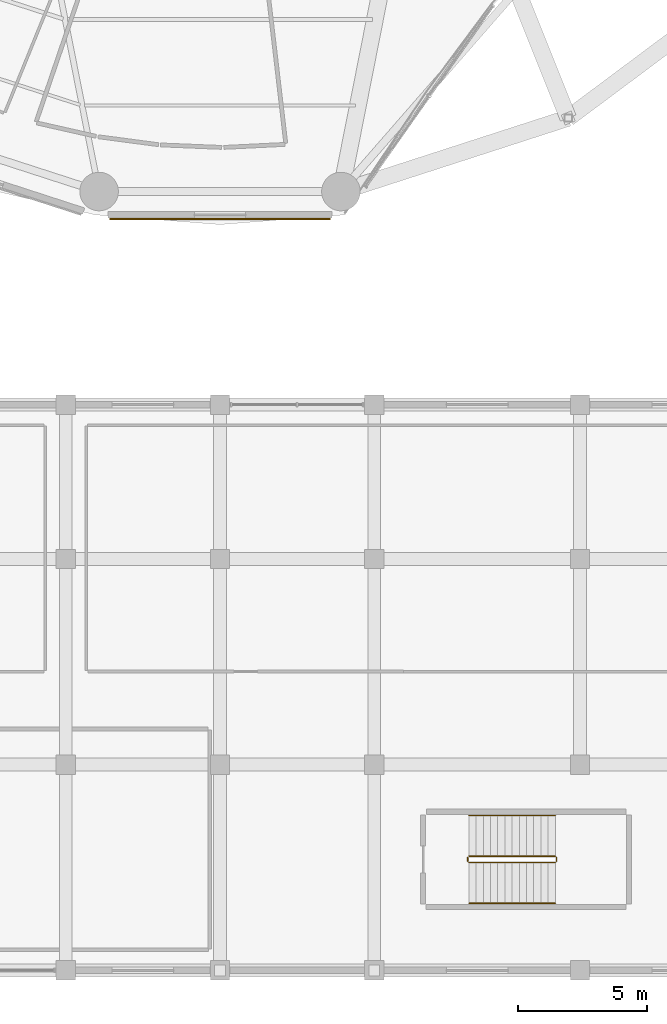
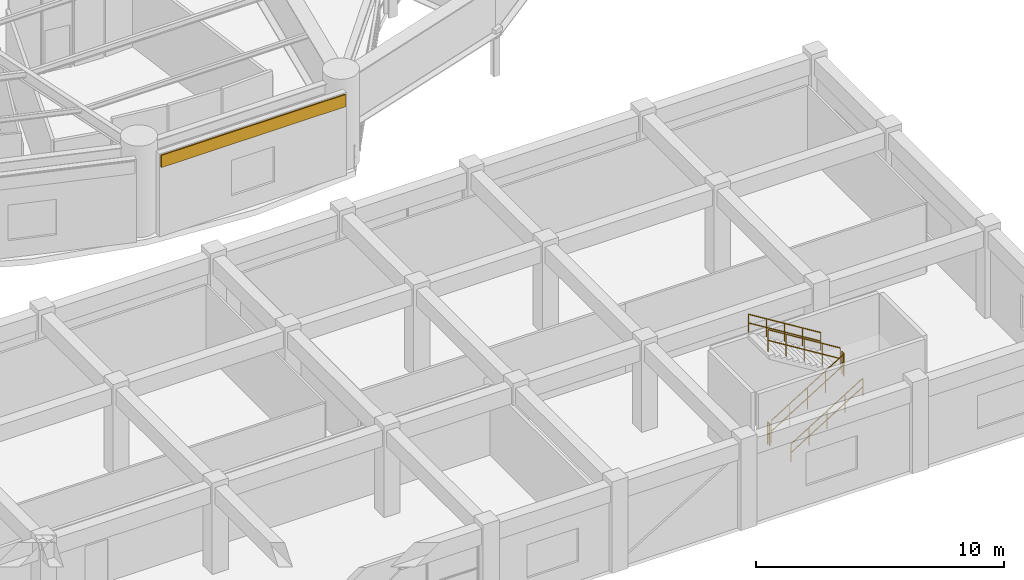
# One storey, part 49 of 53: 6 railings, 1 covering.
"""IFC4 building model written with IfcOpenShell, lengths in metres."""

from ifc_helpers import new_model, si_unit, direction, frame, origin, origin_2d, place, context, subcontext, project, spatial, polyline, rectangle, outline, extrude, source, transform, mapped, material, layer, layer_set, type_object, element, save


model = new_model("IFC4")

# Units and contexts
model_context = context("Model", 3, precision=1e-05, world=origin(), true_north=direction((0.0, 1.0)))
body_context = subcontext(model_context, "Body", "Model", "MODEL_VIEW")
ifc_project = project(units=[si_unit("LENGTHUNIT", "METRE"), si_unit("AREAUNIT", "SQUARE_METRE"), si_unit("VOLUMEUNIT", "CUBIC_METRE"), si_unit("PLANEANGLEUNIT", "RADIAN"), si_unit("MASSUNIT", "GRAM", prefix="KILO")], contexts=[model_context])

# Site, building, storey
site_placement = place(None, origin())
site = spatial("IfcSite", under=ifc_project, at=site_placement, CompositionType="ELEMENT")
building_placement = place(site_placement, origin())
building = spatial("IfcBuilding", under=site, at=building_placement, Name="Kelanora Arch Commons", CompositionType="ELEMENT")
storey_placement = place(building_placement, frame((0.0, 0.0, 9.0)))
storey = spatial("IfcBuildingStorey", under=building, at=storey_placement, Name="L02", CompositionType="ELEMENT", Elevation=9.0)

# Railings
ifc_material_1 = material(Name="Painted steel stair well guard", Category="steel")
railing_type_1 = type_object("IfcRailingType", Name="RAIL-STAIR-GRD", PredefinedType="GUARDRAIL", material=ifc_material_1)
railing_1_placement = place(storey_placement, frame((83.679931640625, 8.18994140625, 0.173095703125)))
element("IfcRailing", 1, at=railing_1_placement, inside=storey, type_object=railing_type_1, Name="L02 ST-M2 stair guard 1", PredefinedType="GUARDRAIL", context=body_context, shape_type="SweptSolid", body=[
    extrude(outline(polyline([(0.02392578125, 0.0), (0.011962890625, 0.020751953125), (-0.011962890625, 0.020751953125), (-0.02392578125, 0.0), (-0.011962890625, -0.020751953125), (0.011962890625, -0.020751953125), (0.02392578125, 0.0)])), frame((0.0, 0.0, 1.076171875), z_axis=(0.850623216509, 0.0, 0.525775754039), x_axis=(0.0, 1.0, 0.0)), (0.0, 0.0, 1.0), 3.9501953125),
    extrude(outline(polyline([(0.02392578125, 0.0), (0.011962890625, 0.020751953125), (-0.011962890625, 0.020751953125), (-0.02392578125, 0.0), (-0.011962890625, -0.020751953125), (0.011962890625, -0.020751953125), (0.02392578125, 0.0)])), frame((0.0, 0.0, 0.550048828125), z_axis=(0.850623216509, 0.0, 0.525775754039), x_axis=(0.0, 1.0, 0.0)), (0.0, 0.0, 1.0), 3.9501953125),
    extrude(outline(polyline([(0.02099609375, 0.0), (0.010498046875, 0.01806640625), (-0.010498046875, 0.01806640625), (-0.02099609375, 0.0), (-0.010498046875, -0.01806640625), (0.010498046875, -0.01806640625), (0.02099609375, 0.0)])), origin(), (0.0, 0.0, 1.0), 1.052001953125),
    extrude(outline(polyline([(0.02099609375, 0.0), (0.010498046875, 0.01806640625), (-0.010498046875, 0.01806640625), (-0.02099609375, 0.0), (-0.010498046875, -0.01806640625), (0.010498046875, -0.01806640625), (0.02099609375, 0.0)])), frame((0.840087890625, 0.0, 0.519287109375)), (0.0, 0.0, 1.0), 1.052001953125),
    extrude(outline(polyline([(0.02099609375, 0.0), (0.010498046875, 0.01806640625), (-0.010498046875, 0.01806640625), (-0.02099609375, 0.0), (-0.010498046875, -0.01806640625), (0.010498046875, -0.01806640625), (0.02099609375, 0.0)])), frame((1.68017578125, 0.0, 1.03857421875)), (0.0, 0.0, 1.0), 1.052001953125),
    extrude(outline(polyline([(0.02099609375, 0.0), (0.010498046875, 0.01806640625), (-0.010498046875, 0.01806640625), (-0.02099609375, 0.0), (-0.010498046875, -0.01806640625), (0.010498046875, -0.01806640625), (0.02099609375, 0.0)])), frame((2.52001953125, 0.0, 1.5576171875)), (0.0, 0.0, 1.0), 1.052001953125),
    extrude(outline(polyline([(0.02099609375, 0.0), (0.010498046875, 0.01806640625), (-0.010498046875, 0.01806640625), (-0.02099609375, 0.0), (-0.010498046875, -0.01806640625), (0.010498046875, -0.01806640625), (0.02099609375, 0.0)])), frame((3.360107421875, 0.0, 2.076904296875)), (0.0, 0.0, 1.0), 1.052001953125),
])
railing_2_placement = place(storey_placement, frame((87.090087890625, 8.239990234375, 2.25)))
element("IfcRailing", 2, at=railing_2_placement, inside=storey, type_object=railing_type_1, Name="L02 ST-M2 stair guard 2", PredefinedType="GUARDRAIL", context=body_context, shape_type="SweptSolid", body=[
    extrude(outline(polyline([(0.02392578125, 0.0), (0.011962890625, 0.020751953125), (-0.011962890625, 0.020751953125), (-0.02392578125, 0.0), (-0.011962890625, -0.020751953125), (0.011962890625, -0.020751953125), (0.02392578125, 0.0)])), frame((0.0, 0.0, 1.076171875), z_axis=(0.0, 1.0, 0.0), x_axis=(-1.0, 0.0, 0.0)), (0.0, 0.0, 1.0), 0.14990234375),
    extrude(outline(polyline([(0.02392578125, 0.0), (0.011962890625, 0.020751953125), (-0.011962890625, 0.020751953125), (-0.02392578125, 0.0), (-0.011962890625, -0.020751953125), (0.011962890625, -0.020751953125), (0.02392578125, 0.0)])), frame((0.0, 0.0, 0.550048828125), z_axis=(0.0, 1.0, 0.0), x_axis=(-1.0, 0.0, 0.0)), (0.0, 0.0, 1.0), 0.14990234375),
    extrude(outline(polyline([(0.02099609375, 0.0), (0.010498046875, 0.01806640625), (-0.010498046875, 0.01806640625), (-0.02099609375, 0.0), (-0.010498046875, -0.01806640625), (0.010498046875, -0.01806640625), (0.02099609375, 0.0)])), origin(), (0.0, 0.0, 1.0), 1.052001953125),
    extrude(outline(polyline([(0.02099609375, 0.0), (0.010498046875, 0.01806640625), (-0.010498046875, 0.01806640625), (-0.02099609375, 0.0), (-0.010498046875, -0.01806640625), (0.010498046875, -0.01806640625), (0.02099609375, 0.0)])), frame((0.0, 0.14990234375, 0.0)), (0.0, 0.0, 1.0), 1.052001953125),
])
railing_3_placement = place(storey_placement, frame((87.0400390625, 8.43994140625, 2.423095703125)))
element("IfcRailing", 3, at=railing_3_placement, inside=storey, type_object=railing_type_1, Name="L02 ST-M2 stair guard 3", PredefinedType="GUARDRAIL", context=body_context, shape_type="SweptSolid", body=[
    extrude(outline(polyline([(0.02392578125, 0.0), (0.011962890625, 0.020751953125), (-0.011962890625, 0.020751953125), (-0.02392578125, 0.0), (-0.011962890625, -0.020751953125), (0.011962890625, -0.020751953125), (0.02392578125, 0.0)])), frame((0.0, 0.0, 1.076171875), z_axis=(-0.850623216509, 0.0, 0.525775754039), x_axis=(0.0, -1.0, 0.0)), (0.0, 0.0, 1.0), 3.9501953125),
    extrude(outline(polyline([(0.02392578125, 0.0), (0.011962890625, 0.020751953125), (-0.011962890625, 0.020751953125), (-0.02392578125, 0.0), (-0.011962890625, -0.020751953125), (0.011962890625, -0.020751953125), (0.02392578125, 0.0)])), frame((0.0, 0.0, 0.550048828125), z_axis=(-0.850623216509, 0.0, 0.525775754039), x_axis=(0.0, -1.0, 0.0)), (0.0, 0.0, 1.0), 3.9501953125),
    extrude(outline(polyline([(0.02099609375, 0.0), (0.010498046875, 0.01806640625), (-0.010498046875, 0.01806640625), (-0.02099609375, 0.0), (-0.010498046875, -0.01806640625), (0.010498046875, -0.01806640625), (0.02099609375, 0.0)])), origin(), (0.0, 0.0, 1.0), 1.052001953125),
    extrude(outline(polyline([(0.02099609375, 0.0), (0.010498046875, 0.01806640625), (-0.010498046875, 0.01806640625), (-0.02099609375, 0.0), (-0.010498046875, -0.01806640625), (0.010498046875, -0.01806640625), (0.02099609375, 0.0)])), frame((-0.840087890625, 0.0, 0.519287109375)), (0.0, 0.0, 1.0), 1.052001953125),
    extrude(outline(polyline([(0.02099609375, 0.0), (0.010498046875, 0.01806640625), (-0.010498046875, 0.01806640625), (-0.02099609375, 0.0), (-0.010498046875, -0.01806640625), (0.010498046875, -0.01806640625), (0.02099609375, 0.0)])), frame((-1.68017578125, 0.0, 1.03857421875)), (0.0, 0.0, 1.0), 1.052001953125),
    extrude(outline(polyline([(0.02099609375, 0.0), (0.010498046875, 0.01806640625), (-0.010498046875, 0.01806640625), (-0.02099609375, 0.0), (-0.010498046875, -0.01806640625), (0.010498046875, -0.01806640625), (0.02099609375, 0.0)])), frame((-2.52001953125, 0.0, 1.5576171875)), (0.0, 0.0, 1.0), 1.052001953125),
    extrude(outline(polyline([(0.02099609375, 0.0), (0.010498046875, 0.01806640625), (-0.010498046875, 0.01806640625), (-0.02099609375, 0.0), (-0.010498046875, -0.01806640625), (0.010498046875, -0.01806640625), (0.02099609375, 0.0)])), frame((-3.360107421875, 0.0, 2.076904296875)), (0.0, 0.0, 1.0), 1.052001953125),
])
railing_4_placement = place(storey_placement, frame((83.6298828125, 8.239990234375, 0.0)))
element("IfcRailing", 4, at=railing_4_placement, inside=storey, type_object=railing_type_1, Name="L02 ST-M2 stair guard 4", PredefinedType="GUARDRAIL", context=body_context, shape_type="SweptSolid", body=[
    extrude(outline(polyline([(0.02392578125, 0.0), (0.011962890625, 0.020751953125), (-0.011962890625, 0.020751953125), (-0.02392578125, 0.0), (-0.011962890625, -0.020751953125), (0.011962890625, -0.020751953125), (0.02392578125, 0.0)])), frame((0.0, 0.0, 1.076171875), z_axis=(0.0, 1.0, 0.0), x_axis=(-1.0, 0.0, 0.0)), (0.0, 0.0, 1.0), 0.14990234375),
    extrude(outline(polyline([(0.02392578125, 0.0), (0.011962890625, 0.020751953125), (-0.011962890625, 0.020751953125), (-0.02392578125, 0.0), (-0.011962890625, -0.020751953125), (0.011962890625, -0.020751953125), (0.02392578125, 0.0)])), frame((0.0, 0.0, 0.550048828125), z_axis=(0.0, 1.0, 0.0), x_axis=(-1.0, 0.0, 0.0)), (0.0, 0.0, 1.0), 0.14990234375),
    extrude(outline(polyline([(0.02099609375, 0.0), (0.010498046875, 0.01806640625), (-0.010498046875, 0.01806640625), (-0.02099609375, 0.0), (-0.010498046875, -0.01806640625), (0.010498046875, -0.01806640625), (0.02099609375, 0.0)])), origin(), (0.0, 0.0, 1.0), 1.052001953125),
    extrude(outline(polyline([(0.02099609375, 0.0), (0.010498046875, 0.01806640625), (-0.010498046875, 0.01806640625), (-0.02099609375, 0.0), (-0.010498046875, -0.01806640625), (0.010498046875, -0.01806640625), (0.02099609375, 0.0)])), frame((0.0, 0.14990234375, 0.0)), (0.0, 0.0, 1.0), 1.052001953125),
])
ifc_material_2 = material(Name="Brushed stainless steel stair handrail", Category="steel")
railing_type_2 = type_object("IfcRailingType", Name="RAIL-STAIR-HND", PredefinedType="HANDRAIL", material=ifc_material_2)
railing_5_placement = place(storey_placement, frame((83.679931640625, 6.610107421875, 0.173095703125)))
element("IfcRailing", 5, at=railing_5_placement, inside=storey, type_object=railing_type_2, Name="L02 ST-M2 stair handrail 1", PredefinedType="HANDRAIL", context=body_context, shape_type="SweptSolid", body=[
    extrude(outline(polyline([(0.02392578125, 0.0), (0.011962890625, 0.020751953125), (-0.011962890625, 0.020751953125), (-0.02392578125, 0.0), (-0.011962890625, -0.020751953125), (0.011962890625, -0.020751953125), (0.02392578125, 0.0)])), frame((0.0, 0.0, 0.8759765625), z_axis=(0.850623216509, 0.0, 0.525775754039), x_axis=(0.0, 1.0, 0.0)), (0.0, 0.0, 1.0), 3.9501953125),
    extrude(outline(polyline([(0.02392578125, 0.0), (0.011962890625, 0.020751953125), (-0.011962890625, 0.020751953125), (-0.02392578125, 0.0), (-0.011962890625, -0.020751953125), (0.011962890625, -0.020751953125), (0.02392578125, 0.0)])), frame((0.0, 0.0, 0.449951171875), z_axis=(0.850623216509, 0.0, 0.525775754039), x_axis=(0.0, 1.0, 0.0)), (0.0, 0.0, 1.0), 3.9501953125),
    extrude(outline(polyline([(0.02099609375, 0.0), (0.010498046875, 0.01806640625), (-0.010498046875, 0.01806640625), (-0.02099609375, 0.0), (-0.010498046875, -0.01806640625), (0.010498046875, -0.01806640625), (0.02099609375, 0.0)])), origin(), (0.0, 0.0, 1.0), 0.851806640625),
    extrude(outline(polyline([(0.02099609375, 0.0), (0.010498046875, 0.01806640625), (-0.010498046875, 0.01806640625), (-0.02099609375, 0.0), (-0.010498046875, -0.01806640625), (0.010498046875, -0.01806640625), (0.02099609375, 0.0)])), frame((0.840087890625, 0.0, 0.519287109375)), (0.0, 0.0, 1.0), 0.851806640625),
    extrude(outline(polyline([(0.02099609375, 0.0), (0.010498046875, 0.01806640625), (-0.010498046875, 0.01806640625), (-0.02099609375, 0.0), (-0.010498046875, -0.01806640625), (0.010498046875, -0.01806640625), (0.02099609375, 0.0)])), frame((1.68017578125, 0.0, 1.03857421875)), (0.0, 0.0, 1.0), 0.851806640625),
    extrude(outline(polyline([(0.02099609375, 0.0), (0.010498046875, 0.01806640625), (-0.010498046875, 0.01806640625), (-0.02099609375, 0.0), (-0.010498046875, -0.01806640625), (0.010498046875, -0.01806640625), (0.02099609375, 0.0)])), frame((2.52001953125, 0.0, 1.5576171875)), (0.0, 0.0, 1.0), 0.851806640625),
    extrude(outline(polyline([(0.02099609375, 0.0), (0.010498046875, 0.01806640625), (-0.010498046875, 0.01806640625), (-0.02099609375, 0.0), (-0.010498046875, -0.01806640625), (0.010498046875, -0.01806640625), (0.02099609375, 0.0)])), frame((3.360107421875, 0.0, 2.076904296875)), (0.0, 0.0, 1.0), 0.851806640625),
])
railing_6_placement = place(storey_placement, frame((87.0400390625, 10.02001953125, 2.423095703125)))
element("IfcRailing", 6, at=railing_6_placement, inside=storey, type_object=railing_type_2, Name="L02 ST-M2 stair handrail 2", PredefinedType="HANDRAIL", context=body_context, shape_type="SweptSolid", body=[
    extrude(outline(polyline([(0.02392578125, 0.0), (0.011962890625, 0.020751953125), (-0.011962890625, 0.020751953125), (-0.02392578125, 0.0), (-0.011962890625, -0.020751953125), (0.011962890625, -0.020751953125), (0.02392578125, 0.0)])), frame((0.0, 0.0, 0.8759765625), z_axis=(-0.850623216509, 0.0, 0.525775754039), x_axis=(0.0, -1.0, 0.0)), (0.0, 0.0, 1.0), 3.9501953125),
    extrude(outline(polyline([(0.02392578125, 0.0), (0.011962890625, 0.020751953125), (-0.011962890625, 0.020751953125), (-0.02392578125, 0.0), (-0.011962890625, -0.020751953125), (0.011962890625, -0.020751953125), (0.02392578125, 0.0)])), frame((0.0, 0.0, 0.449951171875), z_axis=(-0.850623216509, 0.0, 0.525775754039), x_axis=(0.0, -1.0, 0.0)), (0.0, 0.0, 1.0), 3.9501953125),
    extrude(outline(polyline([(0.02099609375, 0.0), (0.010498046875, 0.01806640625), (-0.010498046875, 0.01806640625), (-0.02099609375, 0.0), (-0.010498046875, -0.01806640625), (0.010498046875, -0.01806640625), (0.02099609375, 0.0)])), origin(), (0.0, 0.0, 1.0), 0.851806640625),
    extrude(outline(polyline([(0.02099609375, 0.0), (0.010498046875, 0.01806640625), (-0.010498046875, 0.01806640625), (-0.02099609375, 0.0), (-0.010498046875, -0.01806640625), (0.010498046875, -0.01806640625), (0.02099609375, 0.0)])), frame((-0.840087890625, 0.0, 0.519287109375)), (0.0, 0.0, 1.0), 0.851806640625),
    extrude(outline(polyline([(0.02099609375, 0.0), (0.010498046875, 0.01806640625), (-0.010498046875, 0.01806640625), (-0.02099609375, 0.0), (-0.010498046875, -0.01806640625), (0.010498046875, -0.01806640625), (0.02099609375, 0.0)])), frame((-1.68017578125, 0.0, 1.03857421875)), (0.0, 0.0, 1.0), 0.851806640625),
    extrude(outline(polyline([(0.02099609375, 0.0), (0.010498046875, 0.01806640625), (-0.010498046875, 0.01806640625), (-0.02099609375, 0.0), (-0.010498046875, -0.01806640625), (0.010498046875, -0.01806640625), (0.02099609375, 0.0)])), frame((-2.52001953125, 0.0, 1.5576171875)), (0.0, 0.0, 1.0), 0.851806640625),
    extrude(outline(polyline([(0.02099609375, 0.0), (0.010498046875, 0.01806640625), (-0.010498046875, 0.01806640625), (-0.02099609375, 0.0), (-0.010498046875, -0.01806640625), (0.010498046875, -0.01806640625), (0.02099609375, 0.0)])), frame((-3.360107421875, 0.0, 2.076904296875)), (0.0, 0.0, 1.0), 0.851806640625),
])

# Covering
ifc_material_3 = material(Name="Glazed architectural terracotta spandrel cladding", Category="masonry")
ifc_layer = layer(ifc_material_3, 0.06005859375)
ifc_layer_set = layer_set([ifc_layer], Name="Glazed architectural terracotta spandrel cladding")
covering_type = type_object("IfcCoveringType", Name="COV-CLAD-TC", PredefinedType="CLADDING", material=ifc_layer_set)
shared_shape = source(origin(), body_context, "Body", "SweptSolid", [
    extrude(rectangle(XDim=8.591796875, YDim=0.06005859375, at=origin_2d()), origin(), (0.0, 0.0, 1.0), 0.60009765625),
])
covering_placement = place(storey_placement, frame((74.0, 33.2216796875, 3.43505859375), z_axis=(0.0, 0.0, 1.0), x_axis=(1.0, 0.0, 0.0)))
element("IfcCovering", 7, at=covering_placement, inside=storey, type_object=covering_type, Name="Terracotta Spandrel Cladding L02-B13", PredefinedType="CLADDING", context=body_context, shape_type="MappedRepresentation", body=[
    mapped(shared_shape, transform((0.0, 0.0, 0.0), scale=1.0)),
])

save(model, "model.ifc")
